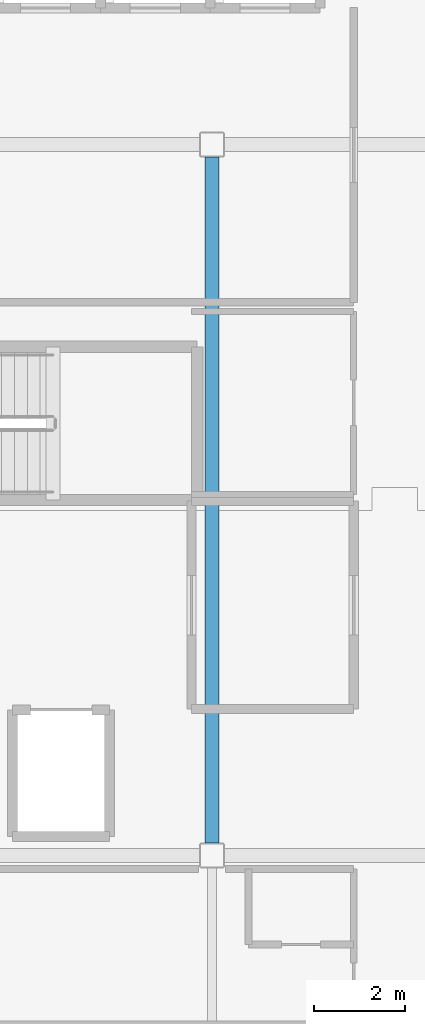
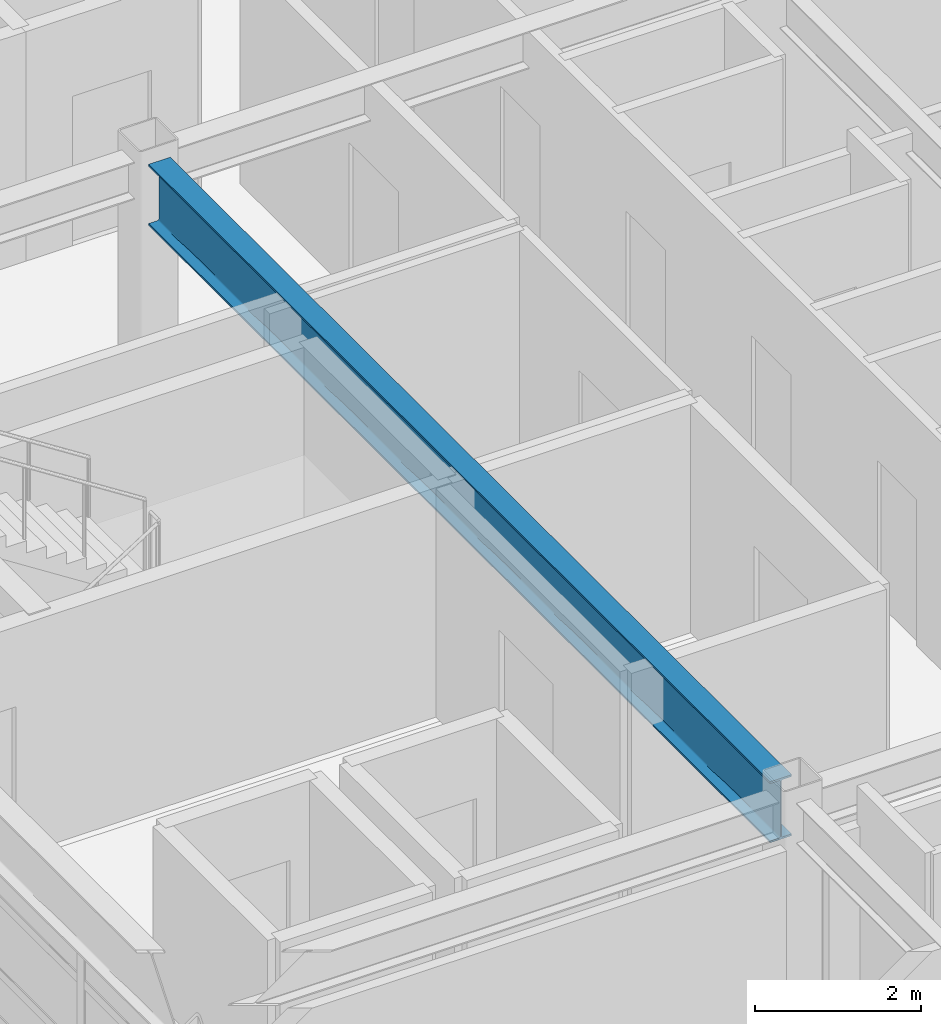
# One storey, part 15 of 38: 1 beam.
"""IFC4 building model written with IfcOpenShell, lengths in metres."""

from ifc_helpers import new_model, si_unit, direction, frame, origin, origin_2d, place, context, subcontext, project, spatial, i_section, extrude, material, material_profile, profile_set, type_object, element, save


model = new_model("IFC4")

# Units and contexts
model_context = context("Model", 3, precision=1e-05, world=origin(), true_north=direction((0.0, 1.0)))
body_context = subcontext(model_context, "Body", "Model", "MODEL_VIEW")
ifc_project = project(units=[si_unit("LENGTHUNIT", "METRE"), si_unit("AREAUNIT", "SQUARE_METRE"), si_unit("VOLUMEUNIT", "CUBIC_METRE"), si_unit("PLANEANGLEUNIT", "RADIAN"), si_unit("MASSUNIT", "GRAM", prefix="KILO")], contexts=[model_context])

# Site, building, storey
site_placement = place(None, origin())
site = spatial("IfcSite", under=ifc_project, at=site_placement, CompositionType="ELEMENT")
building_placement = place(site_placement, origin())
building = spatial("IfcBuilding", under=site, at=building_placement, Name="Kazehara Bluff Congress Hotel", CompositionType="ELEMENT")
storey_placement = place(building_placement, frame((0.0, 0.0, 24.60009765625)))
storey = spatial("IfcBuildingStorey", under=building, at=storey_placement, Name="L05", CompositionType="ELEMENT", Elevation=24.60009765625)

# Beam
ifc_material = material(Name="Steel SN490B", Category="steel")
ifc_material_profile = material_profile(ifc_material, i_section(OverallWidth=0.300048828125, OverallDepth=0.89990234375, WebThickness=0.01611328125, FlangeThickness=0.028076171875, FilletRadius=0.01806640625, at=origin_2d()))
ifc_profile_set = profile_set([ifc_material_profile], Name="Steel SN490B")
beam_type = type_object("IfcBeamType", Name="TP-G-08", PredefinedType="BEAM", material=ifc_profile_set)
beam_placement = place(storey_placement, frame((152.10009765625, 41.175048828125, 2.929931640625), z_axis=(0.0, 1.0, 0.0), x_axis=(-1.0, 0.0, 0.0)))
element("IfcBeam", 1, at=beam_placement, inside=storey, type_object=beam_type, Name="L05 girder G-08 18", PredefinedType="BEAM", context=body_context, shape_type="SweptSolid", body=[
    extrude(i_section(OverallWidth=0.300048828125, OverallDepth=0.89990234375, WebThickness=0.01611328125, FlangeThickness=0.028076171875, FilletRadius=0.01806640625, at=origin_2d()), origin(), (0.0, 0.0, 1.0), 15.0),
])

save(model, "model.ifc")
